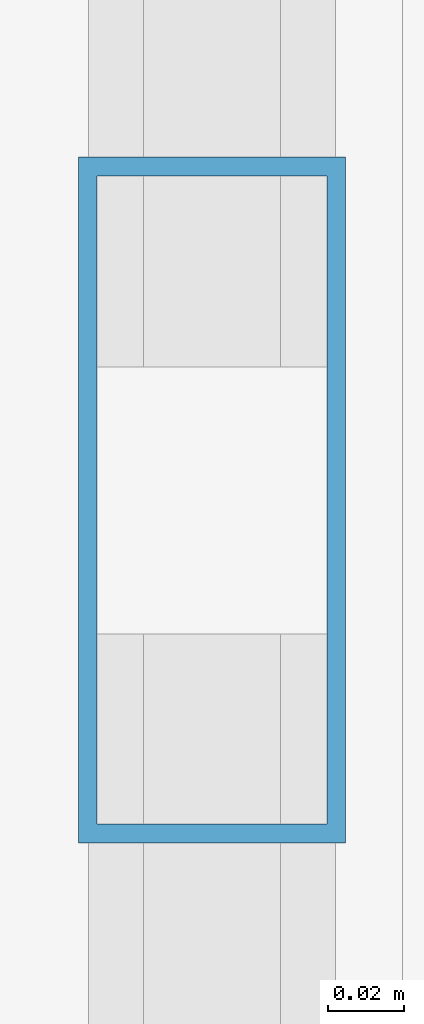
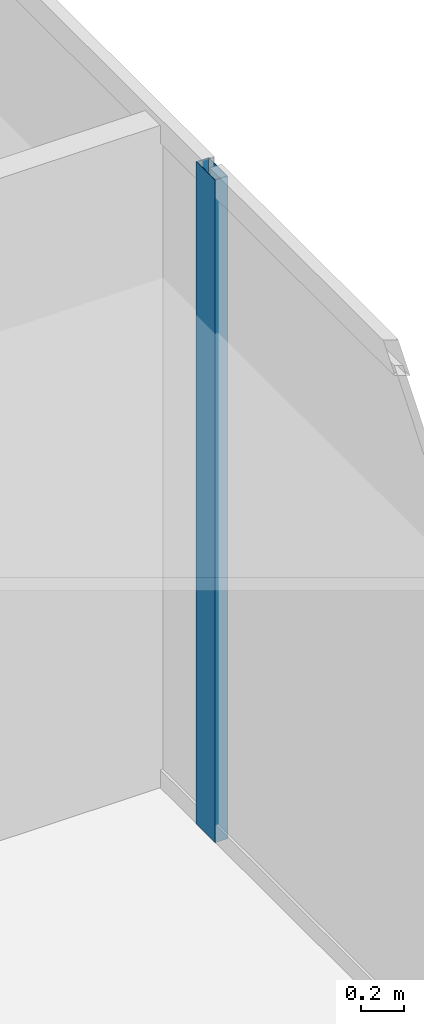
# One storey, part 24 of 35: 1 member, 1 element without a shape of its own.
"""IFC4 building model written with IfcOpenShell, lengths in metres."""

from ifc_helpers import new_model, si_unit, direction, frame, origin, origin_2d, place, context, subcontext, project, spatial, hollow_rectangle, extrude, source, transform, mapped, material, layer, layer_set, material_profile, profile_set, type_object, type_shapes, element, aggregate, save


model = new_model("IFC4")

# Units and contexts
model_context = context("Model", 3, precision=1e-05, world=origin(), true_north=direction((0.0, 1.0)))
body_context = subcontext(model_context, "Body", "Model", "MODEL_VIEW")
ifc_project = project(units=[si_unit("LENGTHUNIT", "METRE"), si_unit("AREAUNIT", "SQUARE_METRE"), si_unit("VOLUMEUNIT", "CUBIC_METRE"), si_unit("PLANEANGLEUNIT", "RADIAN"), si_unit("MASSUNIT", "GRAM", prefix="KILO")], contexts=[model_context])

# Site, building, storey
site_placement = place(None, origin())
site = spatial("IfcSite", under=ifc_project, at=site_placement, CompositionType="ELEMENT")
building_placement = place(site_placement, origin())
building = spatial("IfcBuilding", under=site, at=building_placement, Name="Haelvirn Gate Laboratories", CompositionType="ELEMENT")
storey_placement = place(building_placement, frame((0.0, 0.0, 221.89990234375)))
storey = spatial("IfcBuildingStorey", under=building, at=storey_placement, Name="L53", CompositionType="ELEMENT", Elevation=221.89990234375)

# Curtain wall, member
ifc_material_1 = material(Name="Anodised bronze unitised aluminium & triple low-E glass", Category="aluminium")
ifc_layer = layer(ifc_material_1, 0.176025390625, Name="CW-SYS-4")
ifc_layer_set = layer_set([ifc_layer], Name="Anodised bronze unitised aluminium & triple low-E glass")
curtain_wall_type = type_object("IfcCurtainWallType", Name="CW-SYS-4", PredefinedType="NOTDEFINED", material=ifc_layer_set)
curtain_wall_placement = place(storey_placement, origin())
curtain_wall = element("IfcCurtainWall", 1, at=curtain_wall_placement, inside=storey, type_object=curtain_wall_type, Name="L53 Unitised Curtain Wall CW-L53-P0-E07", PredefinedType="NOTDEFINED")
ifc_material_2 = material(Name="Extruded aluminium 6063-T6 (anodised bronze)", Category="aluminium")
ifc_material_profile = material_profile(ifc_material_2, hollow_rectangle(XDim=0.070068359375, YDim=0.179931640625, WallThickness=0.0048828125, at=origin_2d()), Name="CWM-180x70x5")
ifc_profile_set = profile_set([ifc_material_profile], Name="Extruded aluminium 6063-T6 (anodised bronze)")
member_type = type_object("IfcMemberType", Name="CWM-T180", PredefinedType="MULLION", material=ifc_profile_set)
shared_shape = source(origin(), body_context, "Body", "SweptSolid", [
    extrude(hollow_rectangle(XDim=0.070068359375, YDim=0.179931640625, WallThickness=0.0048828125, at=origin_2d()), origin(), (0.0, 0.0, 1.0), 3.800048828125),
])
type_shapes(member_type, [shared_shape])
member_placement = place(storey_placement, frame((70.699951171875, 24.300048828125, 0.0), z_axis=(0.0, 0.0, 1.0), x_axis=(-1.0, 0.0, 0.0)))
member = element("IfcMember", 2, at=member_placement, type_object=member_type, Name="CW4 mullion 2", PredefinedType="MULLION", context=body_context, shape_type="MappedRepresentation", body=[
    mapped(shared_shape, transform((0.0, 0.0, 0.0), scale=1.0)),
])
aggregate(curtain_wall, [member])

save(model, "model.ifc")
